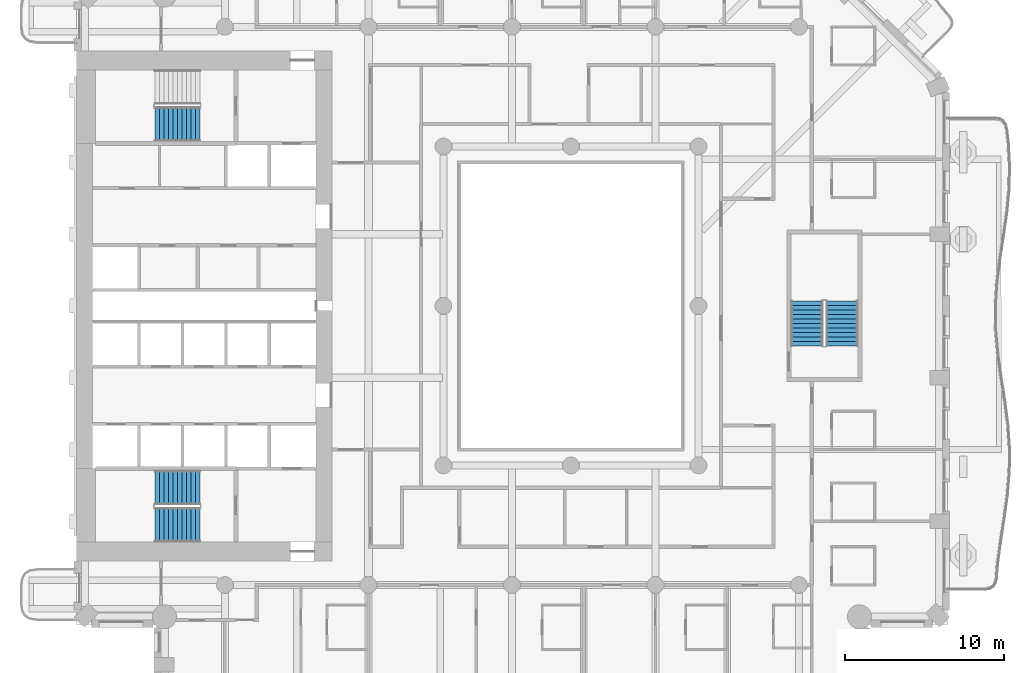
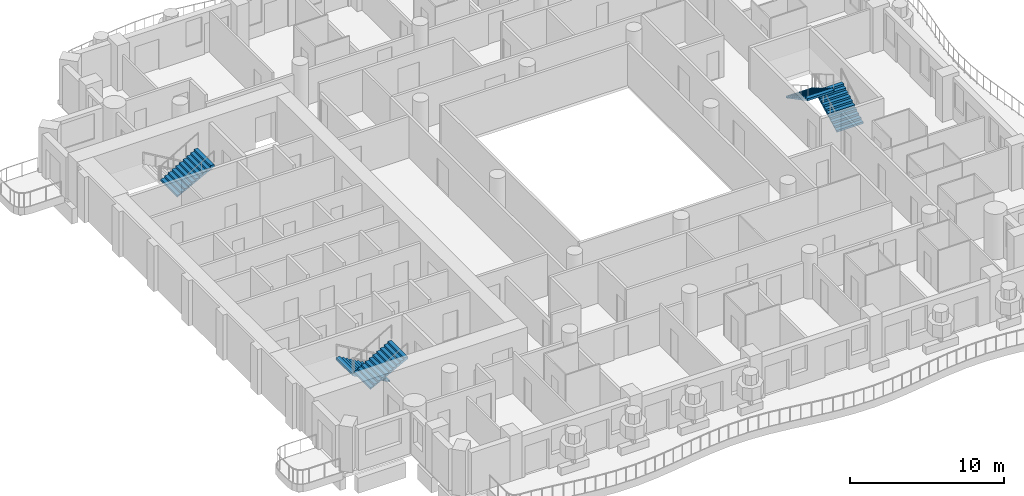
# One storey, part 11 of 20: 5 stair flights, 3 elements without a shape of their own.
"""IFC4 building model written with IfcOpenShell, lengths in metres."""

from ifc_helpers import new_model, si_unit, direction, frame, origin, place, context, subcontext, project, spatial, triangles, material, type_object, element, aggregate, save


model = new_model("IFC4")

# Units and contexts
model_context = context("Model", 3, precision=1e-05, world=origin(), true_north=direction((0.0, 1.0)))
body_context = subcontext(model_context, "Body", "Model", "MODEL_VIEW")
ifc_project = project(units=[si_unit("LENGTHUNIT", "METRE"), si_unit("AREAUNIT", "SQUARE_METRE"), si_unit("VOLUMEUNIT", "CUBIC_METRE"), si_unit("PLANEANGLEUNIT", "RADIAN"), si_unit("MASSUNIT", "GRAM", prefix="KILO")], contexts=[model_context])

# Site, building, storey
site_placement = place(None, origin())
site = spatial("IfcSite", under=ifc_project, at=site_placement, CompositionType="ELEMENT")
building_placement = place(site_placement, origin())
building = spatial("IfcBuilding", under=site, at=building_placement, Name="Cypress Arch Tower", CompositionType="ELEMENT")
storey_placement = place(building_placement, frame((0.0, 0.0, 131.10009765625)))
storey = spatial("IfcBuildingStorey", under=building, at=storey_placement, Name="L28", CompositionType="ELEMENT", Elevation=131.10009765625)

# Stair, stair flights
ifc_material_1 = material(Name="Concrete C40/50", Category="concrete")
stair_type_1 = type_object("IfcStairType", Name="Exit stair ES1636-200", PredefinedType="HALF_TURN_STAIR", material=ifc_material_1)
stair_1_placement = place(storey_placement, origin())
stair_1 = element("IfcStair", 1, at=stair_1_placement, inside=storey, type_object=stair_type_1, Name="L28 Exit stair C", PredefinedType="HALF_TURN_STAIR")
ifc_material_2 = material(Name="Concrete C40/50", Category="concrete")
stair_flight_type_1 = type_object("IfcStairFlightType", Name="Exit stair flight ES1636-200", PredefinedType="STRAIGHT", material=ifc_material_2)
stair_flight_1_placement = place(storey_placement, frame((18.0, -2.5, 0.0), z_axis=(0.0, 0.0, 1.0), x_axis=(0.0, 1.0, 0.0)))
stair_flight_1 = element("IfcStairFlight", 2, at=stair_flight_1_placement, type_object=stair_flight_type_1, Name="C flight 1", NumberOfRisers=11, NumberOfTreads=10, PredefinedType="STRAIGHT", RiserHeight=0.163636364, TreadLength=0.28, context=body_context, shape_type="Tessellation", body=[
    triangles([(0.0, -1.0, 0.0), (0.00048828125, -1.0, 0.054443359375), (0.00048828125, -1.0, 0.109130859375), (0.0, -1.0, 0.16357421875), (0.280029296875, -1.0, 0.16357421875), (0.280029296875, -1.0, 0.327392578125), (0.56005859375, -1.0, 0.327392578125), (0.56005859375, -1.0, 0.490966796875), (0.840087890625, -1.0, 0.490966796875), (0.840087890625, -1.0, 0.654541015625), (1.1201171875, -1.0, 0.654541015625), (1.1201171875, -1.0, 0.818115234375), (1.39990234375, -1.0, 0.818115234375), (1.39990234375, -1.0, 0.98193359375), (1.679931640625, -1.0, 0.98193359375), (1.679931640625, -1.0, 1.1455078125), (1.9599609375, -1.0, 1.1455078125), (1.9599609375, -1.0, 1.30908203125), (2.239990234375, -1.0, 1.30908203125), (2.239990234375, -1.0, 1.47265625), (2.52001953125, -1.0, 1.47265625), (2.52001953125, -1.0, 1.636474609375), (2.800048828125, -1.0, 1.636474609375), (2.799560546875, -1.0, 1.57861328125), (2.799560546875, -1.0, 1.5205078125), (2.800048828125, -1.0, 1.462646484375), (2.800048828125, 1.0, 1.462646484375), (2.799560546875, 1.0, 1.5205078125), (2.799560546875, 1.0, 1.57861328125), (2.800048828125, 1.0, 1.636474609375), (2.52001953125, 1.0, 1.636474609375), (2.52001953125, 1.0, 1.47265625), (2.239990234375, 1.0, 1.47265625), (2.239990234375, 1.0, 1.30908203125), (1.9599609375, 1.0, 1.30908203125), (1.9599609375, 1.0, 1.1455078125), (1.679931640625, 1.0, 1.1455078125), (1.679931640625, 1.0, 0.98193359375), (1.39990234375, 1.0, 0.98193359375), (1.39990234375, 1.0, 0.818115234375), (1.1201171875, 1.0, 0.818115234375), (1.1201171875, 1.0, 0.654541015625), (0.840087890625, 1.0, 0.654541015625), (0.840087890625, 1.0, 0.490966796875), (0.56005859375, 1.0, 0.490966796875), (0.56005859375, 1.0, 0.327392578125), (0.280029296875, 1.0, 0.327392578125), (0.280029296875, 1.0, 0.16357421875), (0.0, 1.0, 0.16357421875), (0.00048828125, 1.0, 0.109130859375), (0.00048828125, 1.0, 0.054443359375), (0.0, 1.0, 0.0), (2.799560546875, 0.0, 1.5205078125), (2.800048828125, 0.0, 1.462646484375), (2.799560546875, 0.0, 1.57861328125), (2.800048828125, 0.0, 1.636474609375), (2.52001953125, 0.0, 1.636474609375), (2.52001953125, 0.0, 1.47265625), (2.239990234375, 0.0, 1.47265625), (2.239990234375, 0.0, 1.30908203125), (1.9599609375, 0.0, 1.30908203125), (1.9599609375, 0.0, 1.1455078125), (1.679931640625, 0.0, 1.1455078125), (1.679931640625, 0.0, 0.98193359375), (1.39990234375, 0.0, 0.98193359375), (1.39990234375, 0.0, 0.818115234375), (1.1201171875, 0.0, 0.818115234375), (1.1201171875, 0.0, 0.654541015625), (0.840087890625, 0.0, 0.654541015625), (0.840087890625, 0.0, 0.490966796875), (0.56005859375, 0.0, 0.490966796875), (0.56005859375, 0.0, 0.327392578125), (0.280029296875, 0.0, 0.327392578125), (0.280029296875, 0.0, 0.16357421875), (0.0, 0.0, 0.16357421875), (0.00048828125, 0.0, 0.109130859375), (0.00048828125, 0.0, 0.054443359375), (0.0, 0.0, 0.0)], [[26, 25, 22], [25, 24, 22], [24, 23, 22], [15, 14, 13], [7, 6, 5], [13, 12, 11], [21, 20, 19], [19, 18, 17], [17, 16, 15], [11, 10, 9], [9, 8, 7], [4, 3, 5], [3, 2, 5], [2, 1, 5], [26, 22, 21], [26, 21, 19], [26, 19, 17], [26, 17, 15], [26, 15, 13], [26, 13, 11], [26, 11, 9], [26, 9, 7], [26, 7, 5], [26, 5, 1], [27, 31, 28], [28, 31, 29], [29, 31, 30], [38, 40, 39], [46, 48, 47], [40, 42, 41], [32, 34, 33], [34, 36, 35], [36, 38, 37], [42, 44, 43], [44, 46, 45], [49, 48, 50], [50, 48, 51], [51, 48, 52], [27, 32, 31], [27, 34, 32], [27, 36, 34], [27, 38, 36], [27, 40, 38], [27, 42, 40], [27, 44, 42], [27, 46, 44], [27, 48, 46], [27, 52, 48], [54, 53, 25], [54, 25, 26], [27, 28, 53], [27, 53, 54], [53, 55, 24], [53, 24, 25], [28, 29, 55], [28, 55, 53], [55, 56, 23], [55, 23, 24], [29, 30, 56], [29, 56, 55], [56, 57, 22], [56, 22, 23], [30, 31, 57], [30, 57, 56], [57, 58, 21], [57, 21, 22], [31, 32, 58], [31, 58, 57], [58, 59, 20], [58, 20, 21], [32, 33, 59], [32, 59, 58], [59, 60, 19], [59, 19, 20], [33, 34, 60], [33, 60, 59], [60, 61, 18], [60, 18, 19], [34, 35, 61], [34, 61, 60], [61, 62, 17], [61, 17, 18], [35, 36, 62], [35, 62, 61], [62, 63, 16], [62, 16, 17], [36, 37, 63], [36, 63, 62], [63, 64, 15], [63, 15, 16], [37, 38, 64], [37, 64, 63], [64, 65, 14], [64, 14, 15], [38, 39, 65], [38, 65, 64], [65, 66, 13], [65, 13, 14], [39, 40, 66], [39, 66, 65], [66, 67, 12], [66, 12, 13], [40, 41, 67], [40, 67, 66], [67, 68, 11], [67, 11, 12], [41, 42, 68], [41, 68, 67], [68, 69, 10], [68, 10, 11], [42, 43, 69], [42, 69, 68], [69, 70, 9], [69, 9, 10], [43, 44, 70], [43, 70, 69], [70, 71, 8], [70, 8, 9], [44, 45, 71], [44, 71, 70], [71, 72, 7], [71, 7, 8], [45, 46, 72], [45, 72, 71], [72, 73, 6], [72, 6, 7], [46, 47, 73], [46, 73, 72], [73, 74, 5], [73, 5, 6], [47, 48, 74], [47, 74, 73], [74, 75, 4], [74, 4, 5], [48, 49, 75], [48, 75, 74], [75, 76, 3], [75, 3, 4], [49, 50, 76], [49, 76, 75], [76, 77, 2], [76, 2, 3], [50, 51, 77], [50, 77, 76], [77, 78, 1], [77, 1, 2], [51, 52, 78], [51, 78, 77], [78, 54, 26], [78, 26, 1], [52, 27, 54], [52, 54, 78]], closed=True),
])
stair_flight_2_placement = place(storey_placement, frame((15.800048828125, 0.300048828125, 1.7998046875), z_axis=(0.0, 0.0, 1.0), x_axis=(0.0, -1.0, 0.0)))
stair_flight_2 = element("IfcStairFlight", 3, at=stair_flight_2_placement, type_object=stair_flight_type_1, Name="C flight 2", NumberOfRisers=11, NumberOfTreads=10, PredefinedType="STRAIGHT", RiserHeight=0.163636364, TreadLength=0.28, context=body_context, shape_type="Tessellation", body=[
    triangles([(0.0, -1.0, 0.0), (0.00048828125, -1.0, 0.054443359375), (0.00048828125, -1.0, 0.109130859375), (0.0, -1.0, 0.16357421875), (0.280029296875, -1.0, 0.16357421875), (0.280029296875, -1.0, 0.327392578125), (0.56005859375, -1.0, 0.327392578125), (0.56005859375, -1.0, 0.490966796875), (0.840087890625, -1.0, 0.490966796875), (0.840087890625, -1.0, 0.654541015625), (1.1201171875, -1.0, 0.654541015625), (1.1201171875, -1.0, 0.818115234375), (1.39990234375, -1.0, 0.818115234375), (1.39990234375, -1.0, 0.98193359375), (1.679931640625, -1.0, 0.98193359375), (1.679931640625, -1.0, 1.1455078125), (1.9599609375, -1.0, 1.1455078125), (1.9599609375, -1.0, 1.30908203125), (2.239990234375, -1.0, 1.30908203125), (2.239990234375, -1.0, 1.47265625), (2.52001953125, -1.0, 1.47265625), (2.52001953125, -1.0, 1.636474609375), (2.800048828125, -1.0, 1.636474609375), (2.799560546875, -1.0, 1.57861328125), (2.799560546875, -1.0, 1.5205078125), (2.800048828125, -1.0, 1.462646484375), (2.800048828125, 1.0, 1.462646484375), (2.799560546875, 1.0, 1.5205078125), (2.799560546875, 1.0, 1.57861328125), (2.800048828125, 1.0, 1.636474609375), (2.52001953125, 1.0, 1.636474609375), (2.52001953125, 1.0, 1.47265625), (2.239990234375, 1.0, 1.47265625), (2.239990234375, 1.0, 1.30908203125), (1.9599609375, 1.0, 1.30908203125), (1.9599609375, 1.0, 1.1455078125), (1.679931640625, 1.0, 1.1455078125), (1.679931640625, 1.0, 0.98193359375), (1.39990234375, 1.0, 0.98193359375), (1.39990234375, 1.0, 0.818115234375), (1.1201171875, 1.0, 0.818115234375), (1.1201171875, 1.0, 0.654541015625), (0.840087890625, 1.0, 0.654541015625), (0.840087890625, 1.0, 0.490966796875), (0.56005859375, 1.0, 0.490966796875), (0.56005859375, 1.0, 0.327392578125), (0.280029296875, 1.0, 0.327392578125), (0.280029296875, 1.0, 0.16357421875), (0.0, 1.0, 0.16357421875), (0.00048828125, 1.0, 0.109130859375), (0.00048828125, 1.0, 0.054443359375), (0.0, 1.0, 0.0), (2.799560546875, 0.0, 1.5205078125), (2.800048828125, 0.0, 1.462646484375), (2.799560546875, 0.0, 1.57861328125), (2.800048828125, 0.0, 1.636474609375), (2.52001953125, 0.0, 1.636474609375), (2.52001953125, 0.0, 1.47265625), (2.239990234375, 0.0, 1.47265625), (2.239990234375, 0.0, 1.30908203125), (1.9599609375, 0.0, 1.30908203125), (1.9599609375, 0.0, 1.1455078125), (1.679931640625, 0.0, 1.1455078125), (1.679931640625, 0.0, 0.98193359375), (1.39990234375, 0.0, 0.98193359375), (1.39990234375, 0.0, 0.818115234375), (1.1201171875, 0.0, 0.818115234375), (1.1201171875, 0.0, 0.654541015625), (0.840087890625, 0.0, 0.654541015625), (0.840087890625, 0.0, 0.490966796875), (0.56005859375, 0.0, 0.490966796875), (0.56005859375, 0.0, 0.327392578125), (0.280029296875, 0.0, 0.327392578125), (0.280029296875, 0.0, 0.16357421875), (0.0, 0.0, 0.16357421875), (0.00048828125, 0.0, 0.109130859375), (0.00048828125, 0.0, 0.054443359375), (0.0, 0.0, 0.0)], [[26, 25, 22], [25, 24, 22], [24, 23, 22], [15, 14, 13], [7, 6, 5], [13, 12, 11], [21, 20, 19], [19, 18, 17], [17, 16, 15], [11, 10, 9], [9, 8, 7], [4, 3, 5], [3, 2, 5], [2, 1, 5], [26, 22, 21], [26, 21, 19], [26, 19, 17], [26, 17, 15], [26, 15, 13], [26, 13, 11], [26, 11, 9], [26, 9, 7], [26, 7, 5], [26, 5, 1], [27, 31, 28], [28, 31, 29], [29, 31, 30], [38, 40, 39], [46, 48, 47], [40, 42, 41], [32, 34, 33], [34, 36, 35], [36, 38, 37], [42, 44, 43], [44, 46, 45], [49, 48, 50], [50, 48, 51], [51, 48, 52], [27, 32, 31], [27, 34, 32], [27, 36, 34], [27, 38, 36], [27, 40, 38], [27, 42, 40], [27, 44, 42], [27, 46, 44], [27, 48, 46], [27, 52, 48], [54, 53, 25], [54, 25, 26], [27, 28, 53], [27, 53, 54], [53, 55, 24], [53, 24, 25], [28, 29, 55], [28, 55, 53], [55, 56, 23], [55, 23, 24], [29, 30, 56], [29, 56, 55], [56, 57, 22], [56, 22, 23], [30, 31, 57], [30, 57, 56], [57, 58, 21], [57, 21, 22], [31, 32, 58], [31, 58, 57], [58, 59, 20], [58, 20, 21], [32, 33, 59], [32, 59, 58], [59, 60, 19], [59, 19, 20], [33, 34, 60], [33, 60, 59], [60, 61, 18], [60, 18, 19], [34, 35, 61], [34, 61, 60], [61, 62, 17], [61, 17, 18], [35, 36, 62], [35, 62, 61], [62, 63, 16], [62, 16, 17], [36, 37, 63], [36, 63, 62], [63, 64, 15], [63, 15, 16], [37, 38, 64], [37, 64, 63], [64, 65, 14], [64, 14, 15], [38, 39, 65], [38, 65, 64], [65, 66, 13], [65, 13, 14], [39, 40, 66], [39, 66, 65], [66, 67, 12], [66, 12, 13], [40, 41, 67], [40, 67, 66], [67, 68, 11], [67, 11, 12], [41, 42, 68], [41, 68, 67], [68, 69, 10], [68, 10, 11], [42, 43, 69], [42, 69, 68], [69, 70, 9], [69, 9, 10], [43, 44, 70], [43, 70, 69], [70, 71, 8], [70, 8, 9], [44, 45, 71], [44, 71, 70], [71, 72, 7], [71, 7, 8], [45, 46, 72], [45, 72, 71], [72, 73, 6], [72, 6, 7], [46, 47, 73], [46, 73, 72], [73, 74, 5], [73, 5, 6], [47, 48, 74], [47, 74, 73], [74, 75, 4], [74, 4, 5], [48, 49, 75], [48, 75, 74], [75, 76, 3], [75, 3, 4], [49, 50, 76], [49, 76, 75], [76, 77, 2], [76, 2, 3], [50, 51, 77], [50, 77, 76], [77, 78, 1], [77, 1, 2], [51, 52, 78], [51, 78, 77], [78, 54, 26], [78, 26, 1], [52, 27, 54], [52, 54, 78]], closed=True),
])
aggregate(stair_1, [stair_flight_1, stair_flight_2])

ifc_material_3 = material(Name="Concrete C40/50", Category="concrete")
stair_type_2 = type_object("IfcStairType", Name="Exit stair ES1636-215", PredefinedType="HALF_TURN_STAIR", material=ifc_material_3)
stair_2_placement = place(storey_placement, origin())
stair_2 = element("IfcStair", 4, at=stair_2_placement, inside=storey, type_object=stair_type_2, Name="L28 Exit stair A", PredefinedType="HALF_TURN_STAIR")
ifc_material_4 = material(Name="Concrete C40/50", Category="concrete")
stair_flight_type_2 = type_object("IfcStairFlightType", Name="Exit stair flight ES1636-215", PredefinedType="STRAIGHT", material=ifc_material_4)
stair_flight_3_placement = place(storey_placement, frame((-22.27490234375, -11.39990234375, 0.0), z_axis=(0.0, 0.0, 1.0), x_axis=(-1.0, 0.0, 0.0)))
stair_flight_3 = element("IfcStairFlight", 5, at=stair_flight_3_placement, type_object=stair_flight_type_2, Name="A flight 1", NumberOfRisers=11, NumberOfTreads=10, PredefinedType="STRAIGHT", RiserHeight=0.163636364, TreadLength=0.28, context=body_context, shape_type="Tessellation", body=[
    triangles([(0.0, -1.074951171875, 0.0), (0.000244140625, -1.074951171875, 0.03271484375), (0.00048828125, -1.074951171875, 0.0654296875), (0.00048828125, -1.074951171875, 0.09814453125), (0.000244140625, -1.074951171875, 0.130859375), (0.0, -1.074951171875, 0.16357421875), (0.280029296875, -1.074951171875, 0.16357421875), (0.280029296875, -1.074951171875, 0.327392578125), (0.56005859375, -1.074951171875, 0.327392578125), (0.56005859375, -1.074951171875, 0.490966796875), (0.840087890625, -1.074951171875, 0.490966796875), (0.840087890625, -1.074951171875, 0.654541015625), (1.1201171875, -1.074951171875, 0.654541015625), (1.1201171875, -1.074951171875, 0.818115234375), (1.39990234375, -1.074951171875, 0.818115234375), (1.39990234375, -1.074951171875, 0.98193359375), (1.679931640625, -1.074951171875, 0.98193359375), (1.679931640625, -1.074951171875, 1.1455078125), (1.9599609375, -1.074951171875, 1.1455078125), (1.9599609375, -1.074951171875, 1.30908203125), (2.239990234375, -1.074951171875, 1.30908203125), (2.239990234375, -1.074951171875, 1.47265625), (2.52001953125, -1.074951171875, 1.47265625), (2.52001953125, -1.074951171875, 1.636474609375), (2.800048828125, -1.074951171875, 1.636474609375), (2.7998046875, -1.074951171875, 1.601806640625), (2.799560546875, -1.074951171875, 1.56689453125), (2.799560546875, -1.074951171875, 1.5322265625), (2.7998046875, -1.074951171875, 1.497314453125), (2.800048828125, -1.074951171875, 1.462646484375), (2.800048828125, 1.074951171875, 1.462646484375), (2.7998046875, 1.074951171875, 1.497314453125), (2.799560546875, 1.074951171875, 1.5322265625), (2.799560546875, 1.074951171875, 1.56689453125), (2.7998046875, 1.074951171875, 1.601806640625), (2.800048828125, 1.074951171875, 1.636474609375), (2.52001953125, 1.074951171875, 1.636474609375), (2.52001953125, 1.074951171875, 1.47265625), (2.239990234375, 1.074951171875, 1.47265625), (2.239990234375, 1.074951171875, 1.30908203125), (1.9599609375, 1.074951171875, 1.30908203125), (1.9599609375, 1.074951171875, 1.1455078125), (1.679931640625, 1.074951171875, 1.1455078125), (1.679931640625, 1.074951171875, 0.98193359375), (1.39990234375, 1.074951171875, 0.98193359375), (1.39990234375, 1.074951171875, 0.818115234375), (1.1201171875, 1.074951171875, 0.818115234375), (1.1201171875, 1.074951171875, 0.654541015625), (0.840087890625, 1.074951171875, 0.654541015625), (0.840087890625, 1.074951171875, 0.490966796875), (0.56005859375, 1.074951171875, 0.490966796875), (0.56005859375, 1.074951171875, 0.327392578125), (0.280029296875, 1.074951171875, 0.327392578125), (0.280029296875, 1.074951171875, 0.16357421875), (0.0, 1.074951171875, 0.16357421875), (0.000244140625, 1.074951171875, 0.130859375), (0.00048828125, 1.074951171875, 0.09814453125), (0.00048828125, 1.074951171875, 0.0654296875), (0.000244140625, 1.074951171875, 0.03271484375), (0.0, 1.074951171875, 0.0), (2.7998046875, 0.0, 1.497314453125), (2.800048828125, 0.0, 1.462646484375), (2.799560546875, 0.0, 1.5322265625), (2.799560546875, 0.0, 1.56689453125), (2.7998046875, 0.0, 1.601806640625), (2.800048828125, 0.0, 1.636474609375), (2.52001953125, 0.0, 1.636474609375), (2.52001953125, 0.0, 1.47265625), (2.239990234375, 0.0, 1.47265625), (2.239990234375, 0.0, 1.30908203125), (1.9599609375, 0.0, 1.30908203125), (1.9599609375, 0.0, 1.1455078125), (1.679931640625, 0.0, 1.1455078125), (1.679931640625, 0.0, 0.98193359375), (1.39990234375, 0.0, 0.98193359375), (1.39990234375, 0.0, 0.818115234375), (1.1201171875, 0.0, 0.818115234375), (1.1201171875, 0.0, 0.654541015625), (0.840087890625, 0.0, 0.654541015625), (0.840087890625, 0.0, 0.490966796875), (0.56005859375, 0.0, 0.490966796875), (0.56005859375, 0.0, 0.327392578125), (0.280029296875, 0.0, 0.327392578125), (0.280029296875, 0.0, 0.16357421875), (0.0, 0.0, 0.16357421875), (0.000244140625, 0.0, 0.130859375), (0.00048828125, 0.0, 0.09814453125), (0.00048828125, 0.0, 0.0654296875), (0.000244140625, 0.0, 0.03271484375), (0.0, 0.0, 0.0)], [[30, 29, 24], [29, 28, 24], [28, 27, 24], [27, 26, 24], [26, 25, 24], [17, 16, 15], [9, 8, 7], [15, 14, 13], [23, 22, 21], [21, 20, 19], [19, 18, 17], [13, 12, 11], [11, 10, 9], [6, 5, 7], [5, 4, 7], [4, 3, 7], [3, 2, 7], [2, 1, 7], [30, 24, 23], [30, 23, 21], [30, 21, 19], [30, 19, 17], [30, 17, 15], [30, 15, 13], [30, 13, 11], [30, 11, 9], [30, 9, 7], [30, 7, 1], [31, 37, 32], [32, 37, 33], [33, 37, 34], [34, 37, 35], [35, 37, 36], [44, 46, 45], [52, 54, 53], [46, 48, 47], [38, 40, 39], [40, 42, 41], [42, 44, 43], [48, 50, 49], [50, 52, 51], [55, 54, 56], [56, 54, 57], [57, 54, 58], [58, 54, 59], [59, 54, 60], [31, 38, 37], [31, 40, 38], [31, 42, 40], [31, 44, 42], [31, 46, 44], [31, 48, 46], [31, 50, 48], [31, 52, 50], [31, 54, 52], [31, 60, 54], [62, 61, 29], [62, 29, 30], [31, 32, 61], [31, 61, 62], [61, 63, 28], [61, 28, 29], [32, 33, 63], [32, 63, 61], [63, 64, 27], [63, 27, 28], [33, 34, 64], [33, 64, 63], [64, 65, 26], [64, 26, 27], [34, 35, 65], [34, 65, 64], [65, 66, 25], [65, 25, 26], [35, 36, 66], [35, 66, 65], [66, 67, 24], [66, 24, 25], [36, 37, 67], [36, 67, 66], [67, 68, 23], [67, 23, 24], [37, 38, 68], [37, 68, 67], [68, 69, 22], [68, 22, 23], [38, 39, 69], [38, 69, 68], [69, 70, 21], [69, 21, 22], [39, 40, 70], [39, 70, 69], [70, 71, 20], [70, 20, 21], [40, 41, 71], [40, 71, 70], [71, 72, 19], [71, 19, 20], [41, 42, 72], [41, 72, 71], [72, 73, 18], [72, 18, 19], [42, 43, 73], [42, 73, 72], [73, 74, 17], [73, 17, 18], [43, 44, 74], [43, 74, 73], [74, 75, 16], [74, 16, 17], [44, 45, 75], [44, 75, 74], [75, 76, 15], [75, 15, 16], [45, 46, 76], [45, 76, 75], [76, 77, 14], [76, 14, 15], [46, 47, 77], [46, 77, 76], [77, 78, 13], [77, 13, 14], [47, 48, 78], [47, 78, 77], [78, 79, 12], [78, 12, 13], [48, 49, 79], [48, 79, 78], [79, 80, 11], [79, 11, 12], [49, 50, 80], [49, 80, 79], [80, 81, 10], [80, 10, 11], [50, 51, 81], [50, 81, 80], [81, 82, 9], [81, 9, 10], [51, 52, 82], [51, 82, 81], [82, 83, 8], [82, 8, 9], [52, 53, 83], [52, 83, 82], [83, 84, 7], [83, 7, 8], [53, 54, 84], [53, 84, 83], [84, 85, 6], [84, 6, 7], [54, 55, 85], [54, 85, 84], [85, 86, 5], [85, 5, 6], [55, 56, 86], [55, 86, 85], [86, 87, 4], [86, 4, 5], [56, 57, 87], [56, 87, 86], [87, 88, 3], [87, 3, 4], [57, 58, 88], [57, 88, 87], [88, 89, 2], [88, 2, 3], [58, 59, 89], [58, 89, 88], [89, 90, 1], [89, 1, 2], [59, 60, 90], [59, 90, 89], [90, 62, 30], [90, 30, 1], [60, 31, 62], [60, 62, 90]], closed=True),
])
stair_flight_4_placement = place(storey_placement, frame((-25.074951171875, -13.72509765625, 1.7998046875), z_axis=(0.0, 0.0, 1.0), x_axis=(1.0, 0.0, 0.0)))
stair_flight_4 = element("IfcStairFlight", 6, at=stair_flight_4_placement, type_object=stair_flight_type_2, Name="A flight 2", NumberOfRisers=11, NumberOfTreads=10, PredefinedType="STRAIGHT", RiserHeight=0.163636364, TreadLength=0.28, context=body_context, shape_type="Tessellation", body=[
    triangles([(0.0, -1.074951171875, 0.0), (0.000244140625, -1.074951171875, 0.03271484375), (0.00048828125, -1.074951171875, 0.0654296875), (0.00048828125, -1.074951171875, 0.09814453125), (0.000244140625, -1.074951171875, 0.130859375), (0.0, -1.074951171875, 0.16357421875), (0.280029296875, -1.074951171875, 0.16357421875), (0.280029296875, -1.074951171875, 0.327392578125), (0.56005859375, -1.074951171875, 0.327392578125), (0.56005859375, -1.074951171875, 0.490966796875), (0.840087890625, -1.074951171875, 0.490966796875), (0.840087890625, -1.074951171875, 0.654541015625), (1.1201171875, -1.074951171875, 0.654541015625), (1.1201171875, -1.074951171875, 0.818115234375), (1.39990234375, -1.074951171875, 0.818115234375), (1.39990234375, -1.074951171875, 0.98193359375), (1.679931640625, -1.074951171875, 0.98193359375), (1.679931640625, -1.074951171875, 1.1455078125), (1.9599609375, -1.074951171875, 1.1455078125), (1.9599609375, -1.074951171875, 1.30908203125), (2.239990234375, -1.074951171875, 1.30908203125), (2.239990234375, -1.074951171875, 1.47265625), (2.52001953125, -1.074951171875, 1.47265625), (2.52001953125, -1.074951171875, 1.636474609375), (2.800048828125, -1.074951171875, 1.636474609375), (2.7998046875, -1.074951171875, 1.601806640625), (2.799560546875, -1.074951171875, 1.56689453125), (2.799560546875, -1.074951171875, 1.5322265625), (2.7998046875, -1.074951171875, 1.497314453125), (2.800048828125, -1.074951171875, 1.462646484375), (2.800048828125, 1.074951171875, 1.462646484375), (2.7998046875, 1.074951171875, 1.497314453125), (2.799560546875, 1.074951171875, 1.5322265625), (2.799560546875, 1.074951171875, 1.56689453125), (2.7998046875, 1.074951171875, 1.601806640625), (2.800048828125, 1.074951171875, 1.636474609375), (2.52001953125, 1.074951171875, 1.636474609375), (2.52001953125, 1.074951171875, 1.47265625), (2.239990234375, 1.074951171875, 1.47265625), (2.239990234375, 1.074951171875, 1.30908203125), (1.9599609375, 1.074951171875, 1.30908203125), (1.9599609375, 1.074951171875, 1.1455078125), (1.679931640625, 1.074951171875, 1.1455078125), (1.679931640625, 1.074951171875, 0.98193359375), (1.39990234375, 1.074951171875, 0.98193359375), (1.39990234375, 1.074951171875, 0.818115234375), (1.1201171875, 1.074951171875, 0.818115234375), (1.1201171875, 1.074951171875, 0.654541015625), (0.840087890625, 1.074951171875, 0.654541015625), (0.840087890625, 1.074951171875, 0.490966796875), (0.56005859375, 1.074951171875, 0.490966796875), (0.56005859375, 1.074951171875, 0.327392578125), (0.280029296875, 1.074951171875, 0.327392578125), (0.280029296875, 1.074951171875, 0.16357421875), (0.0, 1.074951171875, 0.16357421875), (0.000244140625, 1.074951171875, 0.130859375), (0.00048828125, 1.074951171875, 0.09814453125), (0.00048828125, 1.074951171875, 0.0654296875), (0.000244140625, 1.074951171875, 0.03271484375), (0.0, 1.074951171875, 0.0), (2.7998046875, 0.0, 1.497314453125), (2.800048828125, 0.0, 1.462646484375), (2.799560546875, 0.0, 1.5322265625), (2.799560546875, 0.0, 1.56689453125), (2.7998046875, 0.0, 1.601806640625), (2.800048828125, 0.0, 1.636474609375), (2.52001953125, 0.0, 1.636474609375), (2.52001953125, 0.0, 1.47265625), (2.239990234375, 0.0, 1.47265625), (2.239990234375, 0.0, 1.30908203125), (1.9599609375, 0.0, 1.30908203125), (1.9599609375, 0.0, 1.1455078125), (1.679931640625, 0.0, 1.1455078125), (1.679931640625, 0.0, 0.98193359375), (1.39990234375, 0.0, 0.98193359375), (1.39990234375, 0.0, 0.818115234375), (1.1201171875, 0.0, 0.818115234375), (1.1201171875, 0.0, 0.654541015625), (0.840087890625, 0.0, 0.654541015625), (0.840087890625, 0.0, 0.490966796875), (0.56005859375, 0.0, 0.490966796875), (0.56005859375, 0.0, 0.327392578125), (0.280029296875, 0.0, 0.327392578125), (0.280029296875, 0.0, 0.16357421875), (0.0, 0.0, 0.16357421875), (0.000244140625, 0.0, 0.130859375), (0.00048828125, 0.0, 0.09814453125), (0.00048828125, 0.0, 0.0654296875), (0.000244140625, 0.0, 0.03271484375), (0.0, 0.0, 0.0)], [[30, 29, 24], [29, 28, 24], [28, 27, 24], [27, 26, 24], [26, 25, 24], [17, 16, 15], [9, 8, 7], [15, 14, 13], [23, 22, 21], [21, 20, 19], [19, 18, 17], [13, 12, 11], [11, 10, 9], [6, 5, 7], [5, 4, 7], [4, 3, 7], [3, 2, 7], [2, 1, 7], [30, 24, 23], [30, 23, 21], [30, 21, 19], [30, 19, 17], [30, 17, 15], [30, 15, 13], [30, 13, 11], [30, 11, 9], [30, 9, 7], [30, 7, 1], [31, 37, 32], [32, 37, 33], [33, 37, 34], [34, 37, 35], [35, 37, 36], [44, 46, 45], [52, 54, 53], [46, 48, 47], [38, 40, 39], [40, 42, 41], [42, 44, 43], [48, 50, 49], [50, 52, 51], [55, 54, 56], [56, 54, 57], [57, 54, 58], [58, 54, 59], [59, 54, 60], [31, 38, 37], [31, 40, 38], [31, 42, 40], [31, 44, 42], [31, 46, 44], [31, 48, 46], [31, 50, 48], [31, 52, 50], [31, 54, 52], [31, 60, 54], [62, 61, 29], [62, 29, 30], [31, 32, 61], [31, 61, 62], [61, 63, 28], [61, 28, 29], [32, 33, 63], [32, 63, 61], [63, 64, 27], [63, 27, 28], [33, 34, 64], [33, 64, 63], [64, 65, 26], [64, 26, 27], [34, 35, 65], [34, 65, 64], [65, 66, 25], [65, 25, 26], [35, 36, 66], [35, 66, 65], [66, 67, 24], [66, 24, 25], [36, 37, 67], [36, 67, 66], [67, 68, 23], [67, 23, 24], [37, 38, 68], [37, 68, 67], [68, 69, 22], [68, 22, 23], [38, 39, 69], [38, 69, 68], [69, 70, 21], [69, 21, 22], [39, 40, 70], [39, 70, 69], [70, 71, 20], [70, 20, 21], [40, 41, 71], [40, 71, 70], [71, 72, 19], [71, 19, 20], [41, 42, 72], [41, 72, 71], [72, 73, 18], [72, 18, 19], [42, 43, 73], [42, 73, 72], [73, 74, 17], [73, 17, 18], [43, 44, 74], [43, 74, 73], [74, 75, 16], [74, 16, 17], [44, 45, 75], [44, 75, 74], [75, 76, 15], [75, 15, 16], [45, 46, 76], [45, 76, 75], [76, 77, 14], [76, 14, 15], [46, 47, 77], [46, 77, 76], [77, 78, 13], [77, 13, 14], [47, 48, 78], [47, 78, 77], [78, 79, 12], [78, 12, 13], [48, 49, 79], [48, 79, 78], [79, 80, 11], [79, 11, 12], [49, 50, 80], [49, 80, 79], [80, 81, 10], [80, 10, 11], [50, 51, 81], [50, 81, 80], [81, 82, 9], [81, 9, 10], [51, 52, 82], [51, 82, 81], [82, 83, 8], [82, 8, 9], [52, 53, 83], [52, 83, 82], [83, 84, 7], [83, 7, 8], [53, 54, 84], [53, 84, 83], [84, 85, 6], [84, 6, 7], [54, 55, 85], [54, 85, 84], [85, 86, 5], [85, 5, 6], [55, 56, 86], [55, 86, 85], [86, 87, 4], [86, 4, 5], [56, 57, 87], [56, 87, 86], [87, 88, 3], [87, 3, 4], [57, 58, 88], [57, 88, 87], [88, 89, 2], [88, 2, 3], [58, 59, 89], [58, 89, 88], [89, 90, 1], [89, 1, 2], [59, 60, 90], [59, 90, 89], [90, 62, 30], [90, 30, 1], [60, 31, 62], [60, 62, 90]], closed=True),
])
aggregate(stair_2, [stair_flight_3, stair_flight_4])

# Stair, stair flight
stair_3_placement = place(storey_placement, origin())
stair_3 = element("IfcStair", 7, at=stair_3_placement, inside=storey, type_object=stair_type_2, Name="L28 Exit stair B", PredefinedType="HALF_TURN_STAIR")
stair_flight_5_placement = place(storey_placement, frame((-25.074951171875, 11.39990234375, 1.7998046875), z_axis=(0.0, 0.0, 1.0), x_axis=(1.0, 0.0, 0.0)))
stair_flight_5 = element("IfcStairFlight", 8, at=stair_flight_5_placement, type_object=stair_flight_type_2, Name="B flight 2", NumberOfRisers=11, NumberOfTreads=10, PredefinedType="STRAIGHT", RiserHeight=0.163636364, TreadLength=0.28, context=body_context, shape_type="Tessellation", body=[
    triangles([(0.0, -1.074951171875, 0.0), (0.000244140625, -1.074951171875, 0.03271484375), (0.00048828125, -1.074951171875, 0.0654296875), (0.00048828125, -1.074951171875, 0.09814453125), (0.000244140625, -1.074951171875, 0.130859375), (0.0, -1.074951171875, 0.16357421875), (0.280029296875, -1.074951171875, 0.16357421875), (0.280029296875, -1.074951171875, 0.327392578125), (0.56005859375, -1.074951171875, 0.327392578125), (0.56005859375, -1.074951171875, 0.490966796875), (0.840087890625, -1.074951171875, 0.490966796875), (0.840087890625, -1.074951171875, 0.654541015625), (1.1201171875, -1.074951171875, 0.654541015625), (1.1201171875, -1.074951171875, 0.818115234375), (1.39990234375, -1.074951171875, 0.818115234375), (1.39990234375, -1.074951171875, 0.98193359375), (1.679931640625, -1.074951171875, 0.98193359375), (1.679931640625, -1.074951171875, 1.1455078125), (1.9599609375, -1.074951171875, 1.1455078125), (1.9599609375, -1.074951171875, 1.30908203125), (2.239990234375, -1.074951171875, 1.30908203125), (2.239990234375, -1.074951171875, 1.47265625), (2.52001953125, -1.074951171875, 1.47265625), (2.52001953125, -1.074951171875, 1.636474609375), (2.800048828125, -1.074951171875, 1.636474609375), (2.7998046875, -1.074951171875, 1.601806640625), (2.799560546875, -1.074951171875, 1.56689453125), (2.799560546875, -1.074951171875, 1.5322265625), (2.7998046875, -1.074951171875, 1.497314453125), (2.800048828125, -1.074951171875, 1.462646484375), (2.800048828125, 1.074951171875, 1.462646484375), (2.7998046875, 1.074951171875, 1.497314453125), (2.799560546875, 1.074951171875, 1.5322265625), (2.799560546875, 1.074951171875, 1.56689453125), (2.7998046875, 1.074951171875, 1.601806640625), (2.800048828125, 1.074951171875, 1.636474609375), (2.52001953125, 1.074951171875, 1.636474609375), (2.52001953125, 1.074951171875, 1.47265625), (2.239990234375, 1.074951171875, 1.47265625), (2.239990234375, 1.074951171875, 1.30908203125), (1.9599609375, 1.074951171875, 1.30908203125), (1.9599609375, 1.074951171875, 1.1455078125), (1.679931640625, 1.074951171875, 1.1455078125), (1.679931640625, 1.074951171875, 0.98193359375), (1.39990234375, 1.074951171875, 0.98193359375), (1.39990234375, 1.074951171875, 0.818115234375), (1.1201171875, 1.074951171875, 0.818115234375), (1.1201171875, 1.074951171875, 0.654541015625), (0.840087890625, 1.074951171875, 0.654541015625), (0.840087890625, 1.074951171875, 0.490966796875), (0.56005859375, 1.074951171875, 0.490966796875), (0.56005859375, 1.074951171875, 0.327392578125), (0.280029296875, 1.074951171875, 0.327392578125), (0.280029296875, 1.074951171875, 0.16357421875), (0.0, 1.074951171875, 0.16357421875), (0.000244140625, 1.074951171875, 0.130859375), (0.00048828125, 1.074951171875, 0.09814453125), (0.00048828125, 1.074951171875, 0.0654296875), (0.000244140625, 1.074951171875, 0.03271484375), (0.0, 1.074951171875, 0.0), (2.7998046875, 0.0, 1.497314453125), (2.800048828125, 0.0, 1.462646484375), (2.799560546875, 0.0, 1.5322265625), (2.799560546875, 0.0, 1.56689453125), (2.7998046875, 0.0, 1.601806640625), (2.800048828125, 0.0, 1.636474609375), (2.52001953125, 0.0, 1.636474609375), (2.52001953125, 0.0, 1.47265625), (2.239990234375, 0.0, 1.47265625), (2.239990234375, 0.0, 1.30908203125), (1.9599609375, 0.0, 1.30908203125), (1.9599609375, 0.0, 1.1455078125), (1.679931640625, 0.0, 1.1455078125), (1.679931640625, 0.0, 0.98193359375), (1.39990234375, 0.0, 0.98193359375), (1.39990234375, 0.0, 0.818115234375), (1.1201171875, 0.0, 0.818115234375), (1.1201171875, 0.0, 0.654541015625), (0.840087890625, 0.0, 0.654541015625), (0.840087890625, 0.0, 0.490966796875), (0.56005859375, 0.0, 0.490966796875), (0.56005859375, 0.0, 0.327392578125), (0.280029296875, 0.0, 0.327392578125), (0.280029296875, 0.0, 0.16357421875), (0.0, 0.0, 0.16357421875), (0.000244140625, 0.0, 0.130859375), (0.00048828125, 0.0, 0.09814453125), (0.00048828125, 0.0, 0.0654296875), (0.000244140625, 0.0, 0.03271484375), (0.0, 0.0, 0.0)], [[30, 29, 24], [29, 28, 24], [28, 27, 24], [27, 26, 24], [26, 25, 24], [17, 16, 15], [9, 8, 7], [15, 14, 13], [23, 22, 21], [21, 20, 19], [19, 18, 17], [13, 12, 11], [11, 10, 9], [6, 5, 7], [5, 4, 7], [4, 3, 7], [3, 2, 7], [2, 1, 7], [30, 24, 23], [30, 23, 21], [30, 21, 19], [30, 19, 17], [30, 17, 15], [30, 15, 13], [30, 13, 11], [30, 11, 9], [30, 9, 7], [30, 7, 1], [31, 37, 32], [32, 37, 33], [33, 37, 34], [34, 37, 35], [35, 37, 36], [44, 46, 45], [52, 54, 53], [46, 48, 47], [38, 40, 39], [40, 42, 41], [42, 44, 43], [48, 50, 49], [50, 52, 51], [55, 54, 56], [56, 54, 57], [57, 54, 58], [58, 54, 59], [59, 54, 60], [31, 38, 37], [31, 40, 38], [31, 42, 40], [31, 44, 42], [31, 46, 44], [31, 48, 46], [31, 50, 48], [31, 52, 50], [31, 54, 52], [31, 60, 54], [62, 61, 29], [62, 29, 30], [31, 32, 61], [31, 61, 62], [61, 63, 28], [61, 28, 29], [32, 33, 63], [32, 63, 61], [63, 64, 27], [63, 27, 28], [33, 34, 64], [33, 64, 63], [64, 65, 26], [64, 26, 27], [34, 35, 65], [34, 65, 64], [65, 66, 25], [65, 25, 26], [35, 36, 66], [35, 66, 65], [66, 67, 24], [66, 24, 25], [36, 37, 67], [36, 67, 66], [67, 68, 23], [67, 23, 24], [37, 38, 68], [37, 68, 67], [68, 69, 22], [68, 22, 23], [38, 39, 69], [38, 69, 68], [69, 70, 21], [69, 21, 22], [39, 40, 70], [39, 70, 69], [70, 71, 20], [70, 20, 21], [40, 41, 71], [40, 71, 70], [71, 72, 19], [71, 19, 20], [41, 42, 72], [41, 72, 71], [72, 73, 18], [72, 18, 19], [42, 43, 73], [42, 73, 72], [73, 74, 17], [73, 17, 18], [43, 44, 74], [43, 74, 73], [74, 75, 16], [74, 16, 17], [44, 45, 75], [44, 75, 74], [75, 76, 15], [75, 15, 16], [45, 46, 76], [45, 76, 75], [76, 77, 14], [76, 14, 15], [46, 47, 77], [46, 77, 76], [77, 78, 13], [77, 13, 14], [47, 48, 78], [47, 78, 77], [78, 79, 12], [78, 12, 13], [48, 49, 79], [48, 79, 78], [79, 80, 11], [79, 11, 12], [49, 50, 80], [49, 80, 79], [80, 81, 10], [80, 10, 11], [50, 51, 81], [50, 81, 80], [81, 82, 9], [81, 9, 10], [51, 52, 82], [51, 82, 81], [82, 83, 8], [82, 8, 9], [52, 53, 83], [52, 83, 82], [83, 84, 7], [83, 7, 8], [53, 54, 84], [53, 84, 83], [84, 85, 6], [84, 6, 7], [54, 55, 85], [54, 85, 84], [85, 86, 5], [85, 5, 6], [55, 56, 86], [55, 86, 85], [86, 87, 4], [86, 4, 5], [56, 57, 87], [56, 87, 86], [87, 88, 3], [87, 3, 4], [57, 58, 88], [57, 88, 87], [88, 89, 2], [88, 2, 3], [58, 59, 89], [58, 89, 88], [89, 90, 1], [89, 1, 2], [59, 60, 90], [59, 90, 89], [90, 62, 30], [90, 30, 1], [60, 31, 62], [60, 62, 90]], closed=True),
])
aggregate(stair_3, [stair_flight_5])

save(model, "model.ifc")
